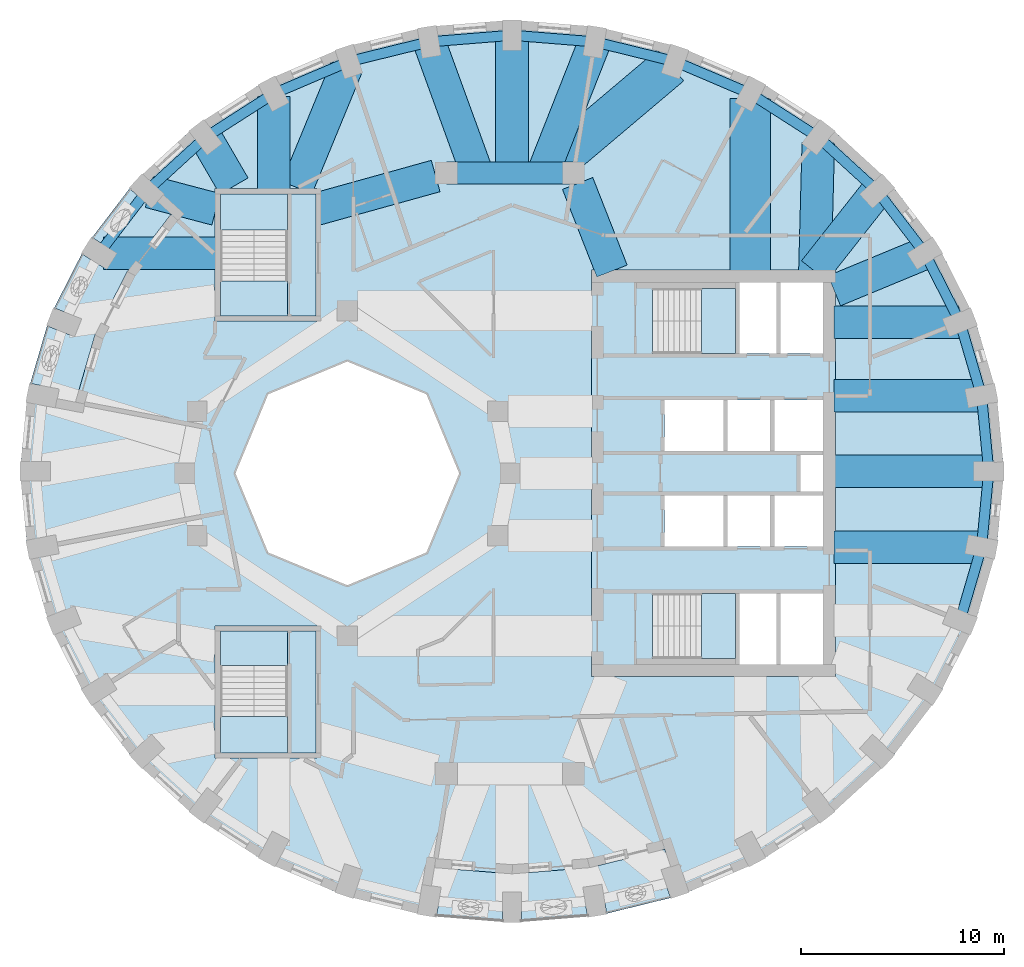
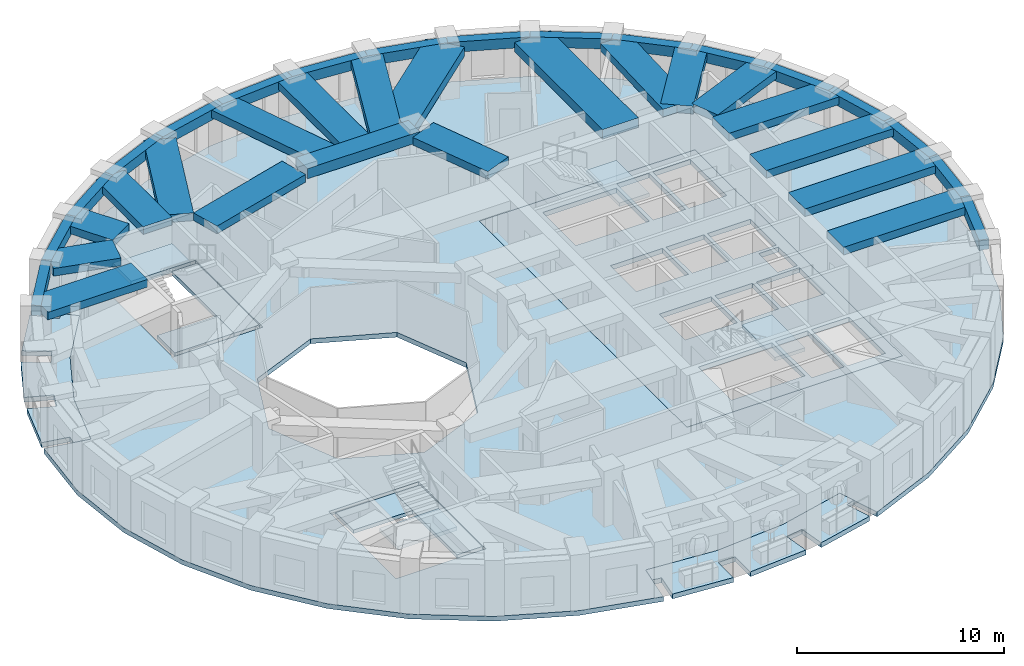
# One storey, part 2 of 11: 37 beams, 12 slabs, 4 elements without a shape of their own.
"""IFC4 building model written with IfcOpenShell, lengths in metres."""

from ifc_helpers import new_model, si_unit, direction, frame, origin, origin_2d, place, context, subcontext, project, spatial, polyline, rectangle, outline, extrude, material, layer, layer_set, material_profile, profile_set, type_object, element, aggregate, save


model = new_model("IFC4")

# Units and contexts
model_context = context("Model", 3, precision=1e-05, world=origin(), true_north=direction((0.0, 1.0)))
body_context = subcontext(model_context, "Body", "Model", "MODEL_VIEW")
ifc_project = project(units=[si_unit("LENGTHUNIT", "METRE"), si_unit("AREAUNIT", "SQUARE_METRE"), si_unit("VOLUMEUNIT", "CUBIC_METRE"), si_unit("PLANEANGLEUNIT", "RADIAN"), si_unit("MASSUNIT", "GRAM", prefix="KILO")], contexts=[model_context])

# Site, building, storey
site_placement = place(None, origin())
site = spatial("IfcSite", under=ifc_project, at=site_placement, CompositionType="ELEMENT")
building_placement = place(site_placement, origin())
building = spatial("IfcBuilding", under=site, at=building_placement, Name="Taillehof Tower", CompositionType="ELEMENT")
storey_placement = place(building_placement, frame((0.0, 0.0, 161.60009765625)))
storey = spatial("IfcBuildingStorey", under=building, at=storey_placement, Name="L45", CompositionType="ELEMENT", Elevation=161.60009765625)

# Beams
ifc_material_1 = material(Name="Concrete C50/60", Category="concrete")
ifc_material_profile_1 = material_profile(ifc_material_1, rectangle(XDim=1.10009765625, YDim=0.60009765625, at=origin_2d()), Name="RC 1100x600")
ifc_profile_set_1 = profile_set([ifc_material_profile_1], Name="Concrete C50/60")
beam_type_1 = type_object("IfcBeamType", Name="Mid-ring beam C50/60 1100x600", PredefinedType="BEAM", material=ifc_profile_set_1)
beam_1_placement = place(storey_placement, frame((3.125732421875, 14.772216796875, 2.719970703125), z_axis=(-1.0, 0.0, 0.0), x_axis=(0.0, -1.0, 0.0)))
element("IfcBeam", 1, at=beam_1_placement, inside=storey, type_object=beam_type_1, Name="Mid-ring beam MB01", PredefinedType="BEAM", context=body_context, shape_type="SweptSolid", body=[
    extrude(rectangle(XDim=1.10009765625, YDim=0.60009765625, at=origin_2d()), origin(), (0.0, 0.0, 1.0), 6.25146484375),
])
ifc_material_2 = material(Name="Concrete C50/60", Category="concrete")
ifc_material_profile_2 = material_profile(ifc_material_2, rectangle(XDim=1.60009765625, YDim=0.449951171875, at=origin_2d()), Name="RC 1600x450")
ifc_profile_set_2 = profile_set([ifc_material_profile_2], Name="Concrete C50/60")
beam_type_2 = type_object("IfcBeamType", Name="Radial band beam C50/60 1600x450", PredefinedType="BEAM", material=ifc_profile_set_2)
beam_2_placement = place(storey_placement, frame((23.550048828125, 0.10009765625, 2.794921875), z_axis=(-1.0, 0.0, 0.0), x_axis=(0.0, -1.0, 0.0)))
element("IfcBeam", 2, at=beam_2_placement, inside=storey, type_object=beam_type_2, Name="Radial band beam RB01", PredefinedType="BEAM", context=body_context, shape_type="SweptSolid", body=[
    extrude(rectangle(XDim=1.60009765625, YDim=0.449951171875, at=origin_2d()), origin(), (0.0, 0.0, 1.0), 7.60009765625),
])
beam_3_placement = place(storey_placement, frame((23.19384765625, 3.82470703125, 2.794921875), z_axis=(-1.0, 0.0, 0.0), x_axis=(0.0, -1.0, 0.0)))
element("IfcBeam", 3, at=beam_3_placement, inside=storey, type_object=beam_type_2, Name="Radial band beam RB02", PredefinedType="BEAM", context=body_context, shape_type="SweptSolid", body=[
    extrude(rectangle(XDim=1.60009765625, YDim=0.449951171875, at=origin_2d()), origin(), (0.0, 0.0, 1.0), 7.243896484375),
])
beam_4_placement = place(storey_placement, frame((22.08642578125, 7.436279296875, 2.794921875), z_axis=(-1.0, 0.0, 0.0), x_axis=(0.0, -1.0, 0.0)))
element("IfcBeam", 4, at=beam_4_placement, inside=storey, type_object=beam_type_2, Name="Radial band beam RB03", PredefinedType="BEAM", context=body_context, shape_type="SweptSolid", body=[
    extrude(rectangle(XDim=1.60009765625, YDim=0.449951171875, at=origin_2d()), origin(), (0.0, 0.0, 1.0), 6.136474609375),
])
beam_5_placement = place(storey_placement, frame((20.408203125, 10.824951171875, 2.794921875), z_axis=(-0.92395697655, -0.382496412381, 0.0), x_axis=(0.382496412381, -0.92395697655, 0.0)))
element("IfcBeam", 5, at=beam_5_placement, inside=storey, type_object=beam_type_2, Name="Radial band beam RB04", PredefinedType="BEAM", context=body_context, shape_type="SweptSolid", body=[
    extrude(rectangle(XDim=1.60009765625, YDim=0.449951171875, at=origin_2d()), origin(), (0.0, 0.0, 1.0), 4.821044921875),
])
beam_6_placement = place(storey_placement, frame((18.063720703125, 13.8876953125, 2.794921875), z_axis=(-0.618961692467, -0.785421175713, 0.0), x_axis=(0.785421175713, -0.618961692467, 0.0)))
element("IfcBeam", 6, at=beam_6_placement, inside=storey, type_object=beam_type_2, Name="Radial band beam RB05", PredefinedType="BEAM", context=body_context, shape_type="SweptSolid", body=[
    extrude(rectangle(XDim=1.60009765625, YDim=0.449951171875, at=origin_2d()), origin(), (0.0, 0.0, 1.0), 4.999755859375),
])
beam_7_placement = place(storey_placement, frame((15.166259765625, 16.259765625, 2.794921875), z_axis=(-0.026533506529, -0.999647924537, 0.0), x_axis=(0.999647924537, -0.026533506529, 0.0)))
element("IfcBeam", 7, at=beam_7_placement, inside=storey, type_object=beam_type_2, Name="Radial band beam RB06", PredefinedType="BEAM", context=body_context, shape_type="SweptSolid", body=[
    extrude(rectangle(XDim=1.60009765625, YDim=0.449951171875, at=origin_2d()), origin(), (0.0, 0.0, 1.0), 6.31201171875),
])
beam_8_placement = place(storey_placement, frame((4.172119140625, 21.22412109375, 2.794921875), z_axis=(-0.36711444375, -0.930175781877, 0.0), x_axis=(0.930175781877, -0.36711444375, 0.0)))
element("IfcBeam", 8, at=beam_8_placement, inside=storey, type_object=beam_type_2, Name="Radial band beam RB09", PredefinedType="BEAM", context=body_context, shape_type="SweptSolid", body=[
    extrude(rectangle(XDim=1.60009765625, YDim=0.449951171875, at=origin_2d()), origin(), (0.0, 0.0, 1.0), 6.936279296875),
])
beam_9_placement = place(storey_placement, frame((0.10009765625, 21.550048828125, 2.794921875), z_axis=(0.0, -1.0, 0.0), x_axis=(1.0, 0.0, 0.0)))
element("IfcBeam", 9, at=beam_9_placement, inside=storey, type_object=beam_type_2, Name="Radial band beam RB10", PredefinedType="BEAM", context=body_context, shape_type="SweptSolid", body=[
    extrude(rectangle(XDim=1.60009765625, YDim=0.449951171875, at=origin_2d()), origin(), (0.0, 0.0, 1.0), 6.77783203125),
])
beam_10_placement = place(storey_placement, frame((-3.97216796875, 21.22412109375, 2.794921875), z_axis=(0.341780181607, -0.939779925015, 0.0), x_axis=(0.939779925015, 0.341780181607, 0.0)))
element("IfcBeam", 10, at=beam_10_placement, inside=storey, type_object=beam_type_2, Name="Radial band beam RB11", PredefinedType="BEAM", context=body_context, shape_type="SweptSolid", body=[
    extrude(rectangle(XDim=1.60009765625, YDim=0.449951171875, at=origin_2d()), origin(), (0.0, 0.0, 1.0), 6.865234375),
])
beam_11_placement = place(storey_placement, frame((-8.04443359375, 19.95556640625, 2.794921875), z_axis=(-0.381176869418, -0.924502133162, 0.0), x_axis=(0.924502133162, -0.381176869418, 0.0)))
element("IfcBeam", 11, at=beam_11_placement, inside=storey, type_object=beam_type_2, Name="Radial band beam RB12", PredefinedType="BEAM", context=body_context, shape_type="SweptSolid", body=[
    extrude(rectangle(XDim=1.60009765625, YDim=0.449951171875, at=origin_2d()), origin(), (0.0, 0.0, 1.0), 6.382568359375),
])
beam_12_placement = place(storey_placement, frame((-11.625, 18.536376953125, 2.794921875), z_axis=(0.0, -1.0, 0.0), x_axis=(1.0, 0.0, 0.0)))
element("IfcBeam", 12, at=beam_12_placement, inside=storey, type_object=beam_type_2, Name="Radial band beam RB13", PredefinedType="BEAM", context=body_context, shape_type="SweptSolid", body=[
    extrude(rectangle(XDim=1.60009765625, YDim=0.449951171875, at=origin_2d()), origin(), (0.0, 0.0, 1.0), 4.58642578125),
])
beam_13_placement = place(storey_placement, frame((-14.973388671875, 16.53173828125, 2.794921875), z_axis=(0.502991419937, -0.864291404255, 0.0), x_axis=(0.864291404255, 0.502991419937, 0.0)))
element("IfcBeam", 13, at=beam_13_placement, inside=storey, type_object=beam_type_2, Name="Radial band beam RB14", PredefinedType="BEAM", context=body_context, shape_type="SweptSolid", body=[
    extrude(rectangle(XDim=1.60009765625, YDim=0.449951171875, at=origin_2d()), origin(), (0.0, 0.0, 1.0), 2.779296875),
])
beam_14_placement = place(storey_placement, frame((-17.72998046875, 13.8525390625, 2.794921875), z_axis=(0.966882543987, -0.255221758736, 0.0), x_axis=(0.255221758736, 0.966882543987, 0.0)))
element("IfcBeam", 14, at=beam_14_placement, inside=storey, type_object=beam_type_2, Name="Radial band beam RB15", PredefinedType="BEAM", context=body_context, shape_type="SweptSolid", body=[
    extrude(rectangle(XDim=1.60009765625, YDim=0.449951171875, at=origin_2d()), origin(), (0.0, 0.0, 1.0), 3.381591796875),
])
beam_15_placement = place(storey_placement, frame((-19.9990234375, 10.824951171875, 2.794921875), z_axis=(1.0, 0.0, 0.0), x_axis=(0.0, 1.0, 0.0)))
element("IfcBeam", 15, at=beam_15_placement, inside=storey, type_object=beam_type_2, Name="Radial band beam RB16", PredefinedType="BEAM", context=body_context, shape_type="SweptSolid", body=[
    extrude(rectangle(XDim=1.60009765625, YDim=0.449951171875, at=origin_2d()), origin(), (0.0, 0.0, 1.0), 5.549072265625),
])
beam_16_placement = place(storey_placement, frame((23.19384765625, -3.624755859375, 2.794921875), z_axis=(-1.0, 0.0, 0.0), x_axis=(0.0, -1.0, 0.0)))
element("IfcBeam", 16, at=beam_16_placement, inside=storey, type_object=beam_type_2, Name="Radial band beam RB36", PredefinedType="BEAM", context=body_context, shape_type="SweptSolid", body=[
    extrude(rectangle(XDim=1.60009765625, YDim=0.449951171875, at=origin_2d()), origin(), (0.0, 0.0, 1.0), 7.243896484375),
])
beam_17_placement = place(storey_placement, frame((3.32666015625, 14.26025390625, 2.794921875), z_axis=(0.365588707223, -0.930776502255, 0.0), x_axis=(0.930776502255, 0.365588707223, 0.0)))
element("IfcBeam", 17, at=beam_17_placement, inside=storey, type_object=beam_type_2, Name="Inner band beam IB205", PredefinedType="BEAM", context=body_context, shape_type="SweptSolid", body=[
    extrude(rectangle(XDim=1.60009765625, YDim=0.449951171875, at=origin_2d()), origin(), (0.0, 0.0, 1.0), 4.627197265625),
])
beam_18_placement = place(storey_placement, frame((-3.655517578125, 14.624755859375, 2.794921875), z_axis=(-0.963459369536, -0.267854518821, 0.0), x_axis=(0.267854518821, -0.963459369536, 0.0)))
element("IfcBeam", 18, at=beam_18_placement, inside=storey, type_object=beam_type_2, Name="Inner band beam IB206", PredefinedType="BEAM", context=body_context, shape_type="SweptSolid", body=[
    extrude(rectangle(XDim=1.60009765625, YDim=0.449951171875, at=origin_2d()), origin(), (0.0, 0.0, 1.0), 6.096923828125),
])
ifc_material_3 = material(Name="Concrete C50/60", Category="concrete")
ifc_material_profile_3 = material_profile(ifc_material_3, rectangle(XDim=2.0, YDim=0.550048828125, at=origin_2d()), Name="RC 2000x550")
ifc_profile_set_3 = profile_set([ifc_material_profile_3], Name="Concrete C50/60")
beam_type_3 = type_object("IfcBeamType", Name="Radial band beam C50/60 2000x550", PredefinedType="BEAM", material=ifc_profile_set_3)
beam_19_placement = place(storey_placement, frame((11.824951171875, 18.430908203125, 2.744873046875), z_axis=(0.0, -1.0, 0.0), x_axis=(1.0, 0.0, 0.0)))
element("IfcBeam", 19, at=beam_19_placement, inside=storey, type_object=beam_type_3, Name="Radial band beam RB07", PredefinedType="BEAM", context=body_context, shape_type="SweptSolid", body=[
    extrude(rectangle(XDim=2.0, YDim=0.550048828125, at=origin_2d()), origin(), (0.0, 0.0, 1.0), 8.48095703125),
])
beam_20_placement = place(storey_placement, frame((7.900390625, 20.070556640625, 2.744873046875), z_axis=(-0.764038060196, -0.645171173079, 0.0), x_axis=(0.645171173079, -0.764038060196, 0.0)))
element("IfcBeam", 20, at=beam_20_placement, inside=storey, type_object=beam_type_3, Name="Radial band beam RB08", PredefinedType="BEAM", context=body_context, shape_type="SweptSolid", body=[
    extrude(rectangle(XDim=2.0, YDim=0.550048828125, at=origin_2d()), origin(), (0.0, 0.0, 1.0), 7.880859375),
])
ifc_material_4 = material(Name="Concrete C50/60", Category="concrete")
ifc_material_profile_4 = material_profile(ifc_material_4, rectangle(XDim=0.5, YDim=0.60009765625, at=origin_2d()), Name="RC 500x600")
ifc_profile_set_4 = profile_set([ifc_material_profile_4], Name="Concrete C50/60")
beam_type_4 = type_object("IfcBeamType", Name="Spandrel beam C50/60 500x600", PredefinedType="SPANDREL", material=ifc_profile_set_4)
beam_21_placement = place(storey_placement, frame((23.550048828125, 0.10009765625, 2.719970703125), z_axis=(-0.095200147056, 0.995458151808, 0.0), x_axis=(-0.995458151808, -0.095200147056, 0.0)))
element("IfcBeam", 21, at=beam_21_placement, inside=storey, type_object=beam_type_4, Name="Spandrel beam SB01", PredefinedType="SPANDREL", context=body_context, shape_type="SweptSolid", body=[
    extrude(rectangle(XDim=0.5, YDim=0.60009765625, at=origin_2d()), origin(), (0.0, 0.0, 1.0), 3.74169921875),
])
beam_22_placement = place(storey_placement, frame((23.19384765625, 3.82470703125, 2.719970703125), z_axis=(-0.281158162606, 0.959661444261, 0.0), x_axis=(-0.959661444261, -0.281158162606, 0.0)))
element("IfcBeam", 22, at=beam_22_placement, inside=storey, type_object=beam_type_4, Name="Spandrel beam SB02", PredefinedType="SPANDREL", context=body_context, shape_type="SweptSolid", body=[
    extrude(rectangle(XDim=0.5, YDim=0.60009765625, at=origin_2d()), origin(), (0.0, 0.0, 1.0), 3.763427734375),
])
beam_23_placement = place(storey_placement, frame((22.1357421875, 7.436279296875, 2.719970703125), z_axis=(-0.454183451696, 0.890908183937, 0.0), x_axis=(-0.890908183937, -0.454183451696, 0.0)))
element("IfcBeam", 23, at=beam_23_placement, inside=storey, type_object=beam_type_4, Name="Spandrel beam SB03", PredefinedType="SPANDREL", context=body_context, shape_type="SweptSolid", body=[
    extrude(rectangle(XDim=0.5, YDim=0.60009765625, at=origin_2d()), origin(), (0.0, 0.0, 1.0), 3.8037109375),
])
beam_24_placement = place(storey_placement, frame((20.408203125, 10.824951171875, 2.719970703125), z_axis=(-0.60784004271, 0.794059495553, 0.0), x_axis=(-0.794059495553, -0.60784004271, 0.0)))
element("IfcBeam", 24, at=beam_24_placement, inside=storey, type_object=beam_type_4, Name="Spandrel beam SB04", PredefinedType="SPANDREL", context=body_context, shape_type="SweptSolid", body=[
    extrude(rectangle(XDim=0.5, YDim=0.60009765625, at=origin_2d()), origin(), (0.0, 0.0, 1.0), 3.857177734375),
])
beam_25_placement = place(storey_placement, frame((18.063720703125, 13.8876953125, 2.719970703125), z_axis=(-0.737849657471, 0.674965097594, 0.0), x_axis=(-0.674965097594, -0.737849657471, 0.0)))
element("IfcBeam", 25, at=beam_25_placement, inside=storey, type_object=beam_type_4, Name="Spandrel beam SB05", PredefinedType="SPANDREL", context=body_context, shape_type="SweptSolid", body=[
    extrude(rectangle(XDim=0.5, YDim=0.60009765625, at=origin_2d()), origin(), (0.0, 0.0, 1.0), 3.917236328125),
])
beam_26_placement = place(storey_placement, frame((15.17333984375, 16.53173828125, 2.719970703125), z_axis=(-0.842092940799, 0.53933243835, 0.0), x_axis=(-0.53933243835, -0.842092940799, 0.0)))
element("IfcBeam", 26, at=beam_26_placement, inside=storey, type_object=beam_type_4, Name="Spandrel beam SB06", PredefinedType="SPANDREL", context=body_context, shape_type="SweptSolid", body=[
    extrude(rectangle(XDim=0.5, YDim=0.60009765625, at=origin_2d()), origin(), (0.0, 0.0, 1.0), 3.976318359375),
])
beam_27_placement = place(storey_placement, frame((11.824951171875, 18.67626953125, 2.719970703125), z_axis=(-0.919827173659, 0.392323808351, 0.0), x_axis=(-0.392323808351, -0.919827173659, 0.0)))
element("IfcBeam", 27, at=beam_27_placement, inside=storey, type_object=beam_type_4, Name="Spandrel beam SB07", PredefinedType="SPANDREL", context=body_context, shape_type="SweptSolid", body=[
    extrude(rectangle(XDim=0.5, YDim=0.60009765625, at=origin_2d()), origin(), (0.0, 0.0, 1.0), 4.027587890625),
])
beam_28_placement = place(storey_placement, frame((8.120361328125, 20.25634765625, 2.719970703125), z_axis=(-0.971248584585, 0.238067610023, 0.0), x_axis=(-0.238067610023, -0.971248584585, 0.0)))
element("IfcBeam", 28, at=beam_28_placement, inside=storey, type_object=beam_type_4, Name="Spandrel beam SB08", PredefinedType="SPANDREL", context=body_context, shape_type="SweptSolid", body=[
    extrude(rectangle(XDim=0.5, YDim=0.60009765625, at=origin_2d()), origin(), (0.0, 0.0, 1.0), 4.065185546875),
])
beam_29_placement = place(storey_placement, frame((4.172119140625, 21.22412109375, 2.719970703125), z_axis=(-0.996812047205, 0.079785603634, 0.0), x_axis=(-0.079785603634, -0.996812047205, 0.0)))
element("IfcBeam", 29, at=beam_29_placement, inside=storey, type_object=beam_type_4, Name="Spandrel beam SB09", PredefinedType="SPANDREL", context=body_context, shape_type="SweptSolid", body=[
    extrude(rectangle(XDim=0.5, YDim=0.60009765625, at=origin_2d()), origin(), (0.0, 0.0, 1.0), 4.0849609375),
])
beam_30_placement = place(storey_placement, frame((0.10009765625, 21.550048828125, 2.719970703125), z_axis=(-0.996812427616, -0.079780850771, 0.0), x_axis=(0.079780850771, -0.996812427616, 0.0)))
element("IfcBeam", 30, at=beam_30_placement, inside=storey, type_object=beam_type_4, Name="Spandrel beam SB10", PredefinedType="SPANDREL", context=body_context, shape_type="SweptSolid", body=[
    extrude(rectangle(XDim=0.5, YDim=0.60009765625, at=origin_2d()), origin(), (0.0, 0.0, 1.0), 4.085205078125),
])
beam_31_placement = place(storey_placement, frame((-3.97216796875, 21.22412109375, 2.719970703125), z_axis=(-0.971248584585, -0.238067610023, 0.0), x_axis=(0.238067610023, -0.971248584585, 0.0)))
element("IfcBeam", 31, at=beam_31_placement, inside=storey, type_object=beam_type_4, Name="Spandrel beam SB11", PredefinedType="SPANDREL", context=body_context, shape_type="SweptSolid", body=[
    extrude(rectangle(XDim=0.5, YDim=0.60009765625, at=origin_2d()), origin(), (0.0, 0.0, 1.0), 4.065185546875),
])
beam_32_placement = place(storey_placement, frame((-7.92041015625, 20.25634765625, 2.719970703125), z_axis=(-0.919827173659, -0.392323808351, 0.0), x_axis=(0.392323808351, -0.919827173659, 0.0)))
element("IfcBeam", 32, at=beam_32_placement, inside=storey, type_object=beam_type_4, Name="Spandrel beam SB12", PredefinedType="SPANDREL", context=body_context, shape_type="SweptSolid", body=[
    extrude(rectangle(XDim=0.5, YDim=0.60009765625, at=origin_2d()), origin(), (0.0, 0.0, 1.0), 4.027587890625),
])
beam_33_placement = place(storey_placement, frame((-11.625, 18.67626953125, 2.719970703125), z_axis=(-0.842092940799, -0.53933243835, 0.0), x_axis=(0.53933243835, -0.842092940799, 0.0)))
element("IfcBeam", 33, at=beam_33_placement, inside=storey, type_object=beam_type_4, Name="Spandrel beam SB13", PredefinedType="SPANDREL", context=body_context, shape_type="SweptSolid", body=[
    extrude(rectangle(XDim=0.5, YDim=0.60009765625, at=origin_2d()), origin(), (0.0, 0.0, 1.0), 3.976318359375),
])
beam_34_placement = place(storey_placement, frame((-14.973388671875, 16.53173828125, 2.719970703125), z_axis=(-0.737849657471, -0.674965097594, 0.0), x_axis=(0.674965097594, -0.737849657471, 0.0)))
element("IfcBeam", 34, at=beam_34_placement, inside=storey, type_object=beam_type_4, Name="Spandrel beam SB14", PredefinedType="SPANDREL", context=body_context, shape_type="SweptSolid", body=[
    extrude(rectangle(XDim=0.5, YDim=0.60009765625, at=origin_2d()), origin(), (0.0, 0.0, 1.0), 3.917236328125),
])
beam_35_placement = place(storey_placement, frame((-17.86376953125, 13.8876953125, 2.719970703125), z_axis=(-0.60784004271, -0.794059495553, 0.0), x_axis=(0.794059495553, -0.60784004271, 0.0)))
element("IfcBeam", 35, at=beam_35_placement, inside=storey, type_object=beam_type_4, Name="Spandrel beam SB15", PredefinedType="SPANDREL", context=body_context, shape_type="SweptSolid", body=[
    extrude(rectangle(XDim=0.5, YDim=0.60009765625, at=origin_2d()), origin(), (0.0, 0.0, 1.0), 3.857177734375),
])
beam_36_placement = place(storey_placement, frame((22.1357421875, -7.236328125, 2.719970703125), z_axis=(0.281158162606, 0.959661444261, 0.0), x_axis=(-0.959661444261, 0.281158162606, 0.0)))
element("IfcBeam", 36, at=beam_36_placement, inside=storey, type_object=beam_type_4, Name="Spandrel beam SB35", PredefinedType="SPANDREL", context=body_context, shape_type="SweptSolid", body=[
    extrude(rectangle(XDim=0.5, YDim=0.60009765625, at=origin_2d()), origin(), (0.0, 0.0, 1.0), 3.763427734375),
])
beam_37_placement = place(storey_placement, frame((23.19384765625, -3.624755859375, 2.719970703125), z_axis=(0.095193963834, 0.995458743118, 0.0), x_axis=(-0.995458743118, 0.095193963834, 0.0)))
element("IfcBeam", 37, at=beam_37_placement, inside=storey, type_object=beam_type_4, Name="Spandrel beam SB36", PredefinedType="SPANDREL", context=body_context, shape_type="SweptSolid", body=[
    extrude(rectangle(XDim=0.5, YDim=0.60009765625, at=origin_2d()), origin(), (0.0, 0.0, 1.0), 3.741943359375),
])

# Slabs
ifc_material_5 = material(Name="Concrete C40/50", Category="concrete")
ifc_layer_1 = layer(ifc_material_5, 0.280029296875)
ifc_layer_set_1 = layer_set([ifc_layer_1], Name="Balcony slab 280")
slab_type_1 = type_object("IfcSlabType", Name="Balcony slab 280", PredefinedType="USERDEFINED", material=ifc_layer_set_1)
slab_1_placement = place(storey_placement, frame((0.0, 0.0, -0.280029296875)))
element("IfcSlab", 38, at=slab_1_placement, inside=storey, type_object=slab_type_1, Name="Balcony L45 pocket 8", ObjectType="BALCONY", PredefinedType="USERDEFINED", context=body_context, shape_type="SweptSolid", body=[
    extrude(outline(polyline([(7.61669921875, -18.484619140625), (7.90185546875, -19.338623046875), (7.432373046875, -19.495361328125), (7.89453125, -20.879638671875), (4.754638671875, -21.651611328125), (4.521240234375, -20.2080078125), (3.58349609375, -20.359619140625), (3.816650390625, -21.8017578125), (0.574951171875, -22.061767578125), (0.574951171875, -20.60009765625), (-0.375, -20.60009765625), (-0.375, -22.061767578125), (-3.61669921875, -21.8017578125), (-3.38330078125, -20.359619140625), (-3.86279296875, -20.281982421875), (-3.718994140625, -19.3935546875), (0.10009765625, -19.699951171875), (3.9189453125, -19.3935546875), (7.61669921875, -18.484619140625)])), origin(), (0.0, 0.0, 1.0), 0.280029296875),
])
slab_2_placement = place(storey_placement, frame((0.0, 0.0, -0.280029296875)))
element("IfcSlab", 39, at=slab_2_placement, inside=storey, type_object=slab_type_1, Name="Balcony L45 pocket 4", ObjectType="BALCONY", PredefinedType="USERDEFINED", context=body_context, shape_type="SweptSolid", body=[
    extrude(outline(polyline([(-21.37548828125, 3.501953125), (-22.25927734375, 3.671875), (-22.16748046875, 4.149658203125), (-23.59521484375, 4.424072265625), (-22.768310546875, 7.255615234375), (-21.413818359375, 6.71826171875), (-21.0634765625, 7.601318359375), (-22.41455078125, 8.137451171875), (-21.06103515625, 10.80029296875), (-19.82666015625, 10.0234375), (-19.320556640625, 10.82763671875), (-20.551025390625, 11.60205078125), (-18.7080078125, 14.016357421875), (-17.630859375, 13.031005859375), (-17.33203125, 13.35791015625), (-16.66748046875, 12.75), (-18.82666015625, 9.921630859375), (-20.40966796875, 6.807861328125), (-21.37548828125, 3.501953125)])), origin(), (0.0, 0.0, 1.0), 0.280029296875),
])
ifc_material_6 = material(Name="Concrete C40/50", Category="concrete")
ifc_layer_2 = layer(ifc_material_6, 0.280029296875)
ifc_layer_set_2 = layer_set([ifc_layer_2], Name="Core floor slab C40/50 280")
slab_type_2 = type_object("IfcSlabType", Name="Core floor slab C40/50 280", PredefinedType="FLOOR", material=ifc_layer_set_2)
slab_3_placement = place(storey_placement, frame((0.0, 0.0, -0.280029296875)))
element("IfcSlab", 40, at=slab_3_placement, inside=storey, type_object=slab_type_2, Name="Core floor L45", PredefinedType="FLOOR", context=body_context, shape_type="SweptSolid", body=[
    extrude(outline(polyline([(4.0, -10.0), (4.0, 10.0), (16.0, 10.0), (16.0, -10.0), (4.0, -10.0)]), holes=[polyline([(11.10009765625, -9.10009765625), (11.10009765625, -5.89990234375), (7.00048828125, -5.89990234375), (7.00048828125, -9.10009765625), (11.10009765625, -9.10009765625)]), polyline([(10.5, -3.60009765625), (10.5, -1.10009765625), (7.60009765625, -1.10009765625), (7.60009765625, -3.60009765625), (10.5, -3.60009765625)]), polyline([(12.800048828125, -3.60009765625), (12.800048828125, -1.10009765625), (10.699951171875, -1.10009765625), (10.699951171875, -3.60009765625), (12.800048828125, -3.60009765625)]), polyline([(10.5, 3.60009765625), (7.60009765625, 3.60009765625), (7.60009765625, 1.10009765625), (10.5, 1.10009765625), (10.5, 3.60009765625)]), polyline([(12.800048828125, 1.10009765625), (12.800048828125, 3.60009765625), (10.699951171875, 3.60009765625), (10.699951171875, 1.10009765625), (12.800048828125, 1.10009765625)]), polyline([(11.10009765625, 5.89990234375), (11.10009765625, 9.10009765625), (7.00048828125, 9.10009765625), (7.00048828125, 5.89990234375), (11.10009765625, 5.89990234375)]), polyline([(13.10009765625, 9.39990234375), (11.300048828125, 9.39990234375), (11.300048828125, 5.89990234375), (13.10009765625, 5.89990234375), (13.10009765625, 9.39990234375)]), polyline([(13.10009765625, -9.39990234375), (13.10009765625, -5.89990234375), (11.300048828125, -5.89990234375), (11.300048828125, -9.39990234375), (13.10009765625, -9.39990234375)]), polyline([(15.39990234375, -9.39990234375), (15.39990234375, -5.89990234375), (13.300048828125, -5.89990234375), (13.300048828125, -9.39990234375), (15.39990234375, -9.39990234375)]), polyline([(15.39990234375, -3.60009765625), (15.39990234375, -1.10009765625), (13.0, -1.10009765625), (13.0, -3.60009765625), (15.39990234375, -3.60009765625)]), polyline([(15.39990234375, -0.89990234375), (15.39990234375, 0.89990234375), (14.300048828125, 0.89990234375), (14.300048828125, -0.89990234375), (15.39990234375, -0.89990234375)]), polyline([(15.39990234375, 1.10009765625), (15.39990234375, 3.60009765625), (13.0, 3.60009765625), (13.0, 1.10009765625), (15.39990234375, 1.10009765625)]), polyline([(15.39990234375, 5.89990234375), (15.39990234375, 9.39990234375), (13.300048828125, 9.39990234375), (13.300048828125, 5.89990234375), (15.39990234375, 5.89990234375)])]), origin(), (0.0, 0.0, 1.0), 0.280029296875),
])
ifc_material_7 = material(Name="Concrete C40/50", Category="concrete")
ifc_layer_3 = layer(ifc_material_7, 0.280029296875)
ifc_layer_set_3 = layer_set([ifc_layer_3], Name="Floor slab 280")
slab_type_3 = type_object("IfcSlabType", Name="Floor slab 280", PredefinedType="FLOOR", material=ifc_layer_set_3)
slab_4_placement = place(storey_placement, frame((0.0, 0.0, -0.280029296875)))
element("IfcSlab", 41, at=slab_4_placement, inside=storey, type_object=slab_type_3, Name="Floor slab L45", PredefinedType="FLOOR", context=body_context, shape_type="SweptSolid", body=[
    extrude(outline(polyline([(24.300048828125, 0.10009765625), (23.932373046875, 3.955078125), (22.840576171875, 7.69287109375), (21.057861328125, 11.199951171875), (18.63818359375, 14.369873046875), (15.655517578125, 17.106201171875), (12.199951171875, 19.32568359375), (8.376953125, 20.961181640625), (4.30224609375, 21.962646484375), (0.10009765625, 22.300048828125), (-4.102294921875, 21.962646484375), (-8.177001953125, 20.961181640625), (-12.0, 19.32568359375), (-15.45556640625, 17.106201171875), (-18.438232421875, 14.369873046875), (-16.66748046875, 12.75), (-18.82666015625, 9.921630859375), (-20.40966796875, 6.8076171875), (-21.37548828125, 3.501953125), (-23.732421875, 3.955078125), (-24.10009765625, 0.10009765625), (-23.732421875, -3.7548828125), (-22.640625, -7.492919921875), (-20.85791015625, -11.0), (-18.438232421875, -14.169921875), (-15.45556640625, -16.90625), (-12.0, -19.125732421875), (-8.177001953125, -20.76123046875), (-4.102294921875, -21.7626953125), (-3.718994140625, -19.3935546875), (0.10009765625, -19.699951171875), (3.919189453125, -19.3935546875), (7.61669921875, -18.484619140625), (8.376953125, -20.76123046875), (12.199951171875, -19.125732421875), (15.655517578125, -16.90625), (18.63818359375, -14.169921875), (21.057861328125, -11.0), (22.840576171875, -7.492919921875), (23.932373046875, -3.7548828125), (24.300048828125, 0.10009765625)]), holes=[polyline([(-14.5, -7.5), (-9.5, -7.5), (-9.5, -14.0), (-14.5, -14.0), (-14.5, -7.5)]), polyline([(-8.0, -5.5), (-11.88916015625, -3.88916015625), (-13.5, 0.0), (-11.88916015625, 3.88916015625), (-8.0, 5.5), (-4.11083984375, 3.88916015625), (-2.5, 0.0), (-4.11083984375, -3.88916015625), (-8.0, -5.5)]), polyline([(16.0, 10.0), (16.0, -10.0), (4.0, -10.0), (4.0, 10.0), (16.0, 10.0)]), polyline([(-14.5, 14.0), (-9.5, 14.0), (-9.5, 7.5), (-14.5, 7.5), (-14.5, 14.0)])]), origin(), (0.0, 0.0, 1.0), 0.280029296875),
])

# Stair, slab
ifc_material_8 = material(Name="Concrete C40/50", Category="concrete")
stair_type = type_object("IfcStairType", Name="Exit stair half-turn", PredefinedType="HALF_TURN_STAIR", material=ifc_material_8)
stair_1_placement = place(storey_placement, origin())
stair_1 = element("IfcStair", 42, at=stair_1_placement, inside=storey, type_object=stair_type, Name="Exit stair S1", PredefinedType="HALF_TURN_STAIR")
ifc_material_9 = material(Name="Concrete C40/50", Category="concrete")
ifc_layer_4 = layer(ifc_material_9, 0.2099609375)
ifc_layer_set_4 = layer_set([ifc_layer_4], Name="Stair landing C40/50 210")
slab_type_4 = type_object("IfcSlabType", Name="Stair landing C40/50 210", PredefinedType="LANDING", material=ifc_layer_set_4)
slab_5_placement = place(storey_placement, frame((0.0, 0.0, 1.43994140625)))
slab_5 = element("IfcSlab", 43, at=slab_5_placement, type_object=slab_type_4, Name="S1 landing 1", PredefinedType="LANDING", context=body_context, shape_type="SweptSolid", body=[
    extrude(outline(polyline([(9.429931640625, 5.89990234375), (11.10009765625, 5.89990234375), (11.10009765625, 9.10009765625), (9.429931640625, 9.10009765625), (9.429931640625, 5.89990234375)])), origin(), (0.0, 0.0, 1.0), 0.2099609375),
])
aggregate(stair_1, [slab_5])

stair_2_placement = place(storey_placement, origin())
stair_2 = element("IfcStair", 44, at=stair_2_placement, inside=storey, type_object=stair_type, Name="Exit stair S2", PredefinedType="HALF_TURN_STAIR")
slab_6_placement = place(storey_placement, frame((0.0, 0.0, 1.43994140625)))
slab_6 = element("IfcSlab", 45, at=slab_6_placement, type_object=slab_type_4, Name="S2 landing 1", PredefinedType="LANDING", context=body_context, shape_type="SweptSolid", body=[
    extrude(outline(polyline([(9.429931640625, -5.89990234375), (11.10009765625, -5.89990234375), (11.10009765625, -9.10009765625), (9.429931640625, -9.10009765625), (9.429931640625, -5.89990234375)])), origin(), (0.0, 0.0, 1.0), 0.2099609375),
])
aggregate(stair_2, [slab_6])

stair_3_placement = place(storey_placement, origin())
stair_3 = element("IfcStair", 46, at=stair_3_placement, inside=storey, type_object=stair_type, Name="Exit stair S3", PredefinedType="HALF_TURN_STAIR")
slab_7_placement = place(storey_placement, frame((0.0, 0.0, 1.43994140625)))
slab_7 = element("IfcSlab", 47, at=slab_7_placement, type_object=slab_type_4, Name="S3 landing 1", PredefinedType="LANDING", context=body_context, shape_type="SweptSolid", body=[
    extrude(outline(polyline([(-14.25, 11.969970703125), (-14.25, 13.75), (-10.949951171875, 13.75), (-10.949951171875, 11.969970703125), (-14.25, 11.969970703125)])), origin(), (0.0, 0.0, 1.0), 0.2099609375),
])
aggregate(stair_3, [slab_7])

stair_4_placement = place(storey_placement, origin())
stair_4 = element("IfcStair", 48, at=stair_4_placement, inside=storey, type_object=stair_type, Name="Exit stair S4", PredefinedType="HALF_TURN_STAIR")
slab_8_placement = place(storey_placement, frame((0.0, 0.0, 1.43994140625)))
slab_8 = element("IfcSlab", 49, at=slab_8_placement, type_object=slab_type_4, Name="S4 landing 1", PredefinedType="LANDING", context=body_context, shape_type="SweptSolid", body=[
    extrude(outline(polyline([(-14.25, -11.969970703125), (-14.25, -13.75), (-10.949951171875, -13.75), (-10.949951171875, -11.969970703125), (-14.25, -11.969970703125)])), origin(), (0.0, 0.0, 1.0), 0.2099609375),
])
aggregate(stair_4, [slab_8])

# Slabs
slab_9_placement = place(storey_placement, frame((0.0, 0.0, -0.210205078125)))
element("IfcSlab", 50, at=slab_9_placement, inside=storey, type_object=slab_type_4, Name="Stair S3 floor landing", PredefinedType="LANDING", context=body_context, shape_type="SweptSolid", body=[
    extrude(outline(polyline([(-14.25, 7.75), (-14.25, 9.449951171875), (-10.949951171875, 9.449951171875), (-10.949951171875, 7.75), (-14.25, 7.75)])), origin(), (0.0, 0.0, 1.0), 0.210205078125),
])
slab_10_placement = place(storey_placement, frame((0.0, 0.0, -0.210205078125)))
element("IfcSlab", 51, at=slab_10_placement, inside=storey, type_object=slab_type_4, Name="Stair lobby S3 floor", PredefinedType="LANDING", context=body_context, shape_type="SweptSolid", body=[
    extrude(outline(polyline([(-10.949951171875, 7.75), (-9.550048828125, 7.75), (-9.550048828125, 13.75), (-10.949951171875, 13.75), (-10.949951171875, 7.75)])), origin(), (0.0, 0.0, 1.0), 0.210205078125),
])
slab_11_placement = place(storey_placement, frame((0.0, 0.0, -0.210205078125)))
element("IfcSlab", 52, at=slab_11_placement, inside=storey, type_object=slab_type_4, Name="Stair S4 floor landing", PredefinedType="LANDING", context=body_context, shape_type="SweptSolid", body=[
    extrude(outline(polyline([(-14.25, -7.75), (-14.25, -9.449951171875), (-10.949951171875, -9.449951171875), (-10.949951171875, -7.75), (-14.25, -7.75)])), origin(), (0.0, 0.0, 1.0), 0.210205078125),
])
slab_12_placement = place(storey_placement, frame((0.0, 0.0, -0.210205078125)))
element("IfcSlab", 53, at=slab_12_placement, inside=storey, type_object=slab_type_4, Name="Stair lobby S4 floor", PredefinedType="LANDING", context=body_context, shape_type="SweptSolid", body=[
    extrude(outline(polyline([(-10.949951171875, -13.75), (-9.550048828125, -13.75), (-9.550048828125, -7.75), (-10.949951171875, -7.75), (-10.949951171875, -13.75)])), origin(), (0.0, 0.0, 1.0), 0.210205078125),
])

save(model, "model.ifc")
